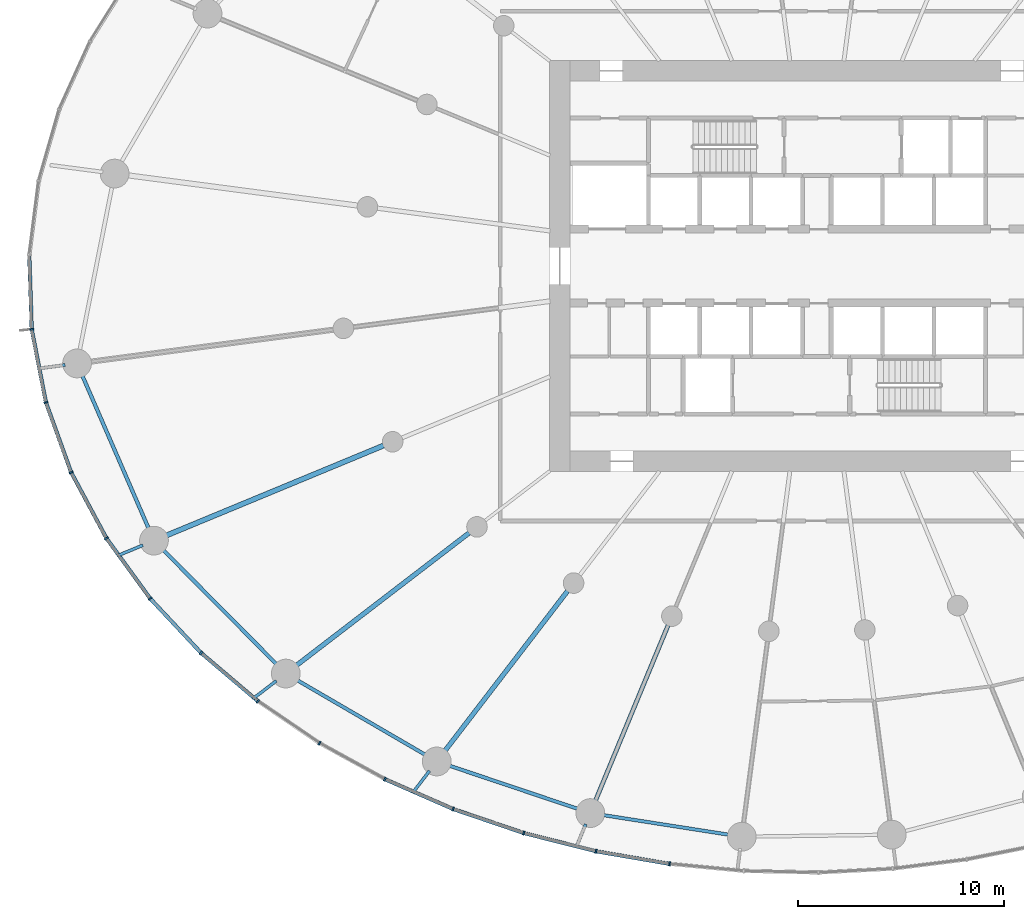
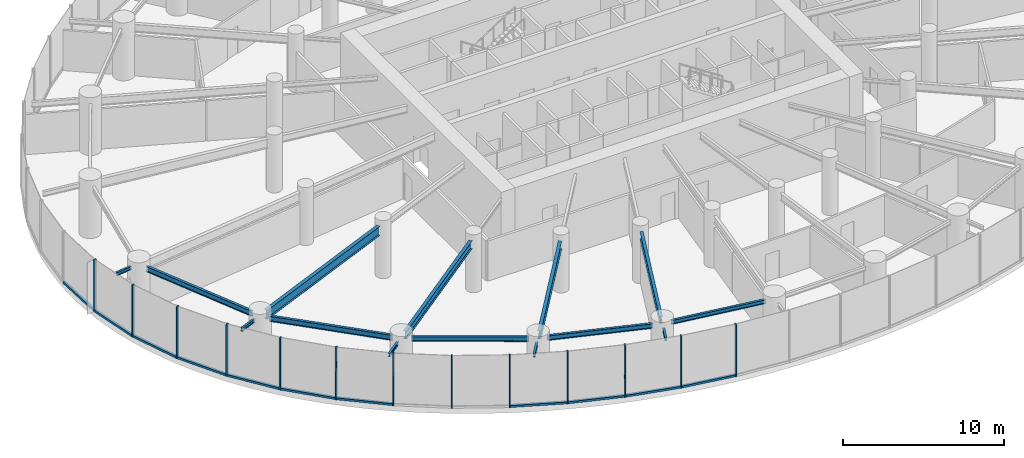
# One storey, part 2 of 19: 24 members, 14 beams, 4 elements without a shape of their own.
"""IFC4 building model written with IfcOpenShell, lengths in metres."""

from ifc_helpers import new_model, si_unit, direction, frame, origin, origin_2d, place, context, subcontext, project, spatial, rectangle, i_section, extrude, source, transform, mapped, material, layer, layer_set, material_profile, profile_set, type_object, element, aggregate, save


model = new_model("IFC4")

# Units and contexts
model_context = context("Model", 3, precision=1e-05, world=origin(), true_north=direction((0.0, 1.0)))
body_context = subcontext(model_context, "Body", "Model", "MODEL_VIEW")
ifc_project = project(units=[si_unit("LENGTHUNIT", "METRE"), si_unit("AREAUNIT", "SQUARE_METRE"), si_unit("VOLUMEUNIT", "CUBIC_METRE"), si_unit("PLANEANGLEUNIT", "RADIAN"), si_unit("MASSUNIT", "GRAM", prefix="KILO")], contexts=[model_context])

# Site, building, storey
site_placement = place(None, origin())
site = spatial("IfcSite", under=ifc_project, at=site_placement, CompositionType="ELEMENT")
building_placement = place(site_placement, origin())
building = spatial("IfcBuilding", under=site, at=building_placement, Name="Spindrift Exchange Tower", CompositionType="ELEMENT")
storey_placement = place(building_placement, frame((0.0, 0.0, 27.0)))
storey = spatial("IfcBuildingStorey", under=building, at=storey_placement, Name="L06", CompositionType="ELEMENT", Elevation=27.0)

# Beams
ifc_material_1 = material(Name="Steel Grade 300", Category="steel")
ifc_material_profile_1 = material_profile(ifc_material_1, i_section(OverallWidth=0.25, OverallDepth=0.699951171875, WebThickness=0.008056640625, FlangeThickness=0.011962890625, at=origin_2d()), Name="700WB115")
ifc_profile_set_1 = profile_set([ifc_material_profile_1], Name="Steel Grade 300")
beam_type_1 = type_object("IfcBeamType", Name="Floor Beam 700WB115 Steel Grade 300", PredefinedType="BEAM", material=ifc_profile_set_1)
shared_shape_1 = source(origin(), body_context, "Body", "SweptSolid", [
    extrude(i_section(OverallWidth=0.25, OverallDepth=0.699951171875, WebThickness=0.008056640625, FlangeThickness=0.011962890625, at=origin_2d()), origin(), (0.0, 0.0, 1.0), 11.505859375),
])
beam_1_placement = place(storey_placement, frame((30.917236328125, 39.26708984375, 3.60009765625), z_axis=(-0.923881578419, -0.38267849307, 0.0), x_axis=(0.38267849307, -0.923881578419, 0.0)))
element("IfcBeam", 1, at=beam_1_placement, inside=storey, type_object=beam_type_1, Name="L06 radial beam R14B", PredefinedType="BEAM", context=body_context, shape_type="MappedRepresentation", body=[
    mapped(shared_shape_1, transform((0.0, 0.0, 0.0), scale=1.0)),
])
ifc_material_profile_2 = material_profile(ifc_material_1, i_section(OverallWidth=0.22802734375, OverallDepth=0.60693359375, WebThickness=0.01123046875, FlangeThickness=0.017333984375, FilletRadius=0.013916015625, at=origin_2d()), Name="610UB113")
ifc_profile_set_2 = profile_set([ifc_material_profile_2], Name="Steel Grade 300")
beam_type_2 = type_object("IfcBeamType", Name="Floor Beam 610UB113 Steel Grade 300", PredefinedType="BEAM", material=ifc_profile_set_2)
shared_shape_2 = source(origin(), body_context, "Body", "SweptSolid", [
    extrude(i_section(OverallWidth=0.22802734375, OverallDepth=0.60693359375, WebThickness=0.01123046875, FlangeThickness=0.017333984375, FilletRadius=0.013916015625, at=origin_2d()), origin(), (0.0, 0.0, 1.0), 10.66357421875),
])
beam_2_placement = place(storey_placement, frame((35.08447265625, 35.020263671875, 3.646484375), z_axis=(-0.793357926757, -0.608755451764, 0.0), x_axis=(0.608755451764, -0.793357926757, 0.0)))
element("IfcBeam", 2, at=beam_2_placement, inside=storey, type_object=beam_type_2, Name="L06 radial beam R15B", PredefinedType="BEAM", context=body_context, shape_type="MappedRepresentation", body=[
    mapped(shared_shape_2, transform((0.0, 0.0, 0.0), scale=1.0)),
])
shared_shape_3 = source(origin(), body_context, "Body", "SweptSolid", [
    extrude(i_section(OverallWidth=0.22802734375, OverallDepth=0.60693359375, WebThickness=0.01123046875, FlangeThickness=0.017333984375, FilletRadius=0.013916015625, at=origin_2d()), origin(), (0.0, 0.0, 1.0), 9.87548828125),
])
beam_3_placement = place(storey_placement, frame((39.872802734375, 32.1953125, 3.646484375), z_axis=(-0.608772470836, -0.793344867477, 0.0), x_axis=(0.793344867477, -0.608772470836, 0.0)))
element("IfcBeam", 3, at=beam_3_placement, inside=storey, type_object=beam_type_2, Name="L06 radial beam R16B", PredefinedType="BEAM", context=body_context, shape_type="MappedRepresentation", body=[
    mapped(shared_shape_3, transform((0.0, 0.0, 0.0), scale=1.0)),
])
ifc_material_profile_3 = material_profile(ifc_material_1, i_section(OverallWidth=0.208984375, OverallDepth=0.532958984375, WebThickness=0.01025390625, FlangeThickness=0.015625, FilletRadius=0.013916015625, at=origin_2d()), Name="530UB92.4")
ifc_profile_set_3 = profile_set([ifc_material_profile_3], Name="Steel Grade 300")
beam_type_3 = type_object("IfcBeamType", Name="Floor Beam 530UB92.4 Steel Grade 300", PredefinedType="BEAM", material=ifc_profile_set_3)
shared_shape_4 = source(origin(), body_context, "Body", "SweptSolid", [
    extrude(i_section(OverallWidth=0.208984375, OverallDepth=0.532958984375, WebThickness=0.01025390625, FlangeThickness=0.015625, FilletRadius=0.013916015625, at=origin_2d()), origin(), (0.0, 0.0, 1.0), 9.309326171875),
])
beam_4_placement = place(storey_placement, frame((44.76171875, 30.525146484375, 3.68359375), z_axis=(-0.382685326691, -0.923878747853, 0.0), x_axis=(0.923878747853, -0.382685326691, 0.0)))
element("IfcBeam", 4, at=beam_4_placement, inside=storey, type_object=beam_type_3, Name="L06 radial beam R17B", PredefinedType="BEAM", context=body_context, shape_type="MappedRepresentation", body=[
    mapped(shared_shape_4, transform((0.0, 0.0, 0.0), scale=1.0)),
])
ifc_material_profile_4 = material_profile(ifc_material_1, i_section(OverallWidth=0.177978515625, OverallDepth=0.406005859375, WebThickness=0.0078125, FlangeThickness=0.0126953125, FilletRadius=0.013916015625, at=origin_2d()), Name="410UB59.7")
ifc_profile_set_4 = profile_set([ifc_material_profile_4], Name="Steel Grade 300")
beam_type_4 = type_object("IfcBeamType", Name="Edge Beam 410UB59.7 Steel Grade 300", PredefinedType="SPANDREL", material=ifc_profile_set_4)
shared_shape_5 = source(origin(), body_context, "Body", "SweptSolid", [
    extrude(i_section(OverallWidth=0.177978515625, OverallDepth=0.406005859375, WebThickness=0.0078125, FlangeThickness=0.0126953125, FilletRadius=0.013916015625, at=origin_2d()), origin(), (0.0, 0.0, 1.0), 8.23681640625),
])
beam_5_placement = place(storey_placement, frame((16.240478515625, 42.729736328125, 3.7470703125), z_axis=(0.398186298756, -0.91730456855, 0.0), x_axis=(0.91730456855, 0.398186298756, 0.0)))
element("IfcBeam", 5, at=beam_5_placement, inside=storey, type_object=beam_type_4, Name="L06 edge beam E13", PredefinedType="SPANDREL", context=body_context, shape_type="MappedRepresentation", body=[
    mapped(shared_shape_5, transform((0.0, 0.0, 0.0), scale=1.0)),
])
shared_shape_6 = source(origin(), body_context, "Body", "SweptSolid", [
    extrude(i_section(OverallWidth=0.177978515625, OverallDepth=0.406005859375, WebThickness=0.0078125, FlangeThickness=0.0126953125, FilletRadius=0.013916015625, at=origin_2d()), origin(), (0.0, 0.0, 1.0), 7.947509765625),
])
beam_6_placement = place(storey_placement, frame((20.159423828125, 34.230224609375, 3.7470703125), z_axis=(0.704197895271, -0.710003749494, 0.0), x_axis=(0.710003749494, 0.704197895271, 0.0)))
element("IfcBeam", 6, at=beam_6_placement, inside=storey, type_object=beam_type_4, Name="L06 edge beam E14", PredefinedType="SPANDREL", context=body_context, shape_type="MappedRepresentation", body=[
    mapped(shared_shape_6, transform((0.0, 0.0, 0.0), scale=1.0)),
])
ifc_material_profile_5 = material_profile(ifc_material_1, i_section(OverallWidth=0.172119140625, OverallDepth=0.35888671875, WebThickness=0.008056640625, FlangeThickness=0.012939453125, FilletRadius=0.013916015625, at=origin_2d()), Name="360UB56.7")
ifc_profile_set_5 = profile_set([ifc_material_profile_5], Name="Steel Grade 300")
beam_type_5 = type_object("IfcBeamType", Name="Edge Beam 360UB56.7 Steel Grade 300", PredefinedType="SPANDREL", material=ifc_profile_set_5)
shared_shape_7 = source(origin(), body_context, "Body", "SweptSolid", [
    extrude(i_section(OverallWidth=0.172119140625, OverallDepth=0.35888671875, WebThickness=0.008056640625, FlangeThickness=0.012939453125, FilletRadius=0.013916015625, at=origin_2d()), origin(), (0.0, 0.0, 1.0), 7.33740234375),
])
beam_7_placement = place(storey_placement, frame((26.66552734375, 27.8837890625, 3.7705078125), z_axis=(0.864211826308, -0.503128134047, 0.0), x_axis=(0.503128134047, 0.864211826308, 0.0)))
element("IfcBeam", 7, at=beam_7_placement, inside=storey, type_object=beam_type_5, Name="L06 edge beam E15", PredefinedType="SPANDREL", context=body_context, shape_type="MappedRepresentation", body=[
    mapped(shared_shape_7, transform((0.0, 0.0, 0.0), scale=1.0)),
])
shared_shape_8 = source(origin(), body_context, "Body", "SweptSolid", [
    extrude(i_section(OverallWidth=0.172119140625, OverallDepth=0.35888671875, WebThickness=0.008056640625, FlangeThickness=0.012939453125, FilletRadius=0.013916015625, at=origin_2d()), origin(), (0.0, 0.0, 1.0), 6.72021484375),
])
beam_8_placement = place(storey_placement, frame((34.0576171875, 23.71533203125, 3.7705078125), z_axis=(0.947851749681, -0.318711563372, 0.0), x_axis=(0.318711563372, 0.947851749681, 0.0)))
element("IfcBeam", 8, at=beam_8_placement, inside=storey, type_object=beam_type_5, Name="L06 edge beam E16", PredefinedType="SPANDREL", context=body_context, shape_type="MappedRepresentation", body=[
    mapped(shared_shape_8, transform((0.0, 0.0, 0.0), scale=1.0)),
])
ifc_material_profile_6 = material_profile(ifc_material_1, i_section(OverallWidth=0.1650390625, OverallDepth=0.303955078125, WebThickness=0.006103515625, FlangeThickness=0.01025390625, FilletRadius=0.011474609375, at=origin_2d()), Name="310UB40.4")
ifc_profile_set_6 = profile_set([ifc_material_profile_6], Name="Steel Grade 300")
beam_type_6 = type_object("IfcBeamType", Name="Edge Beam 310UB40.4 Steel Grade 300", PredefinedType="SPANDREL", material=ifc_profile_set_6)
shared_shape_9 = source(origin(), body_context, "Body", "SweptSolid", [
    extrude(i_section(OverallWidth=0.1650390625, OverallDepth=0.303955078125, WebThickness=0.006103515625, FlangeThickness=0.01025390625, FilletRadius=0.011474609375, at=origin_2d()), origin(), (0.0, 0.0, 1.0), 6.297119140625),
])
beam_9_placement = place(storey_placement, frame((41.55029296875, 21.29931640625, 3.798095703125), z_axis=(0.98802902915, -0.154268070436, 0.0), x_axis=(0.154268070436, 0.98802902915, 0.0)))
element("IfcBeam", 9, at=beam_9_placement, inside=storey, type_object=beam_type_6, Name="L06 edge beam E17", PredefinedType="SPANDREL", context=body_context, shape_type="MappedRepresentation", body=[
    mapped(shared_shape_9, transform((0.0, 0.0, 0.0), scale=1.0)),
])
ifc_material_profile_7 = material_profile(ifc_material_1, i_section(OverallWidth=0.14599609375, OverallDepth=0.251953125, WebThickness=0.006103515625, FlangeThickness=0.008544921875, FilletRadius=0.011962890625, at=origin_2d()), Name="250UB31.4")
ifc_profile_set_7 = profile_set([ifc_material_profile_7], Name="Steel Grade 300")
beam_type_7 = type_object("IfcBeamType", Name="Cantilever Beam 250UB31.4 Steel Grade 300", PredefinedType="BEAM", material=ifc_profile_set_7)
shared_shape_10 = source(origin(), body_context, "Body", "SweptSolid", [
    extrude(i_section(OverallWidth=0.14599609375, OverallDepth=0.251953125, WebThickness=0.006103515625, FlangeThickness=0.008544921875, FilletRadius=0.011962890625, at=origin_2d()), origin(), (0.0, 0.0, 1.0), 1.182373046875),
])
beam_10_placement = place(storey_placement, frame((15.4345703125, 43.18603515625, 3.823974609375), z_axis=(-0.991450078563, -0.130486557612, 0.0), x_axis=(0.130486557612, -0.991450078563, 0.0)))
element("IfcBeam", 10, at=beam_10_placement, inside=storey, type_object=beam_type_7, Name="L06 cantilever beam R13T", PredefinedType="BEAM", context=body_context, shape_type="MappedRepresentation", body=[
    mapped(shared_shape_10, transform((0.0, 0.0, 0.0), scale=1.0)),
])
shared_shape_11 = source(origin(), body_context, "Body", "SweptSolid", [
    extrude(i_section(OverallWidth=0.14599609375, OverallDepth=0.251953125, WebThickness=0.006103515625, FlangeThickness=0.008544921875, FilletRadius=0.011962890625, at=origin_2d()), origin(), (0.0, 0.0, 1.0), 1.340576171875),
])
beam_11_placement = place(storey_placement, frame((19.21533203125, 34.420166015625, 3.823974609375), z_axis=(-0.923834804529, -0.382791397422, 0.0), x_axis=(0.382791397422, -0.923834804529, 0.0)))
element("IfcBeam", 11, at=beam_11_placement, inside=storey, type_object=beam_type_7, Name="L06 cantilever beam R14T", PredefinedType="BEAM", context=body_context, shape_type="MappedRepresentation", body=[
    mapped(shared_shape_11, transform((0.0, 0.0, 0.0), scale=1.0)),
])
shared_shape_12 = source(origin(), body_context, "Body", "SweptSolid", [
    extrude(i_section(OverallWidth=0.14599609375, OverallDepth=0.251953125, WebThickness=0.006103515625, FlangeThickness=0.008544921875, FilletRadius=0.011962890625, at=origin_2d()), origin(), (0.0, 0.0, 1.0), 1.450927734375),
])
beam_12_placement = place(storey_placement, frame((25.704345703125, 27.822509765625, 3.823974609375), z_axis=(-0.793349012845, -0.608767068605, 0.0), x_axis=(0.608767068605, -0.793349012845, 0.0)))
element("IfcBeam", 12, at=beam_12_placement, inside=storey, type_object=beam_type_7, Name="L06 cantilever beam R15T", PredefinedType="BEAM", context=body_context, shape_type="MappedRepresentation", body=[
    mapped(shared_shape_12, transform((0.0, 0.0, 0.0), scale=1.0)),
])
shared_shape_13 = source(origin(), body_context, "Body", "SweptSolid", [
    extrude(i_section(OverallWidth=0.14599609375, OverallDepth=0.251953125, WebThickness=0.006103515625, FlangeThickness=0.008544921875, FilletRadius=0.011962890625, at=origin_2d()), origin(), (0.0, 0.0, 1.0), 1.34521484375),
])
beam_13_placement = place(storey_placement, frame((33.154541015625, 23.440185546875, 3.823974609375), z_axis=(-0.608762998157, -0.793352136239, 0.0), x_axis=(0.793352136239, -0.608762998157, 0.0)))
element("IfcBeam", 13, at=beam_13_placement, inside=storey, type_object=beam_type_7, Name="L06 cantilever beam R16T", PredefinedType="BEAM", context=body_context, shape_type="MappedRepresentation", body=[
    mapped(shared_shape_13, transform((0.0, 0.0, 0.0), scale=1.0)),
])
shared_shape_14 = source(origin(), body_context, "Body", "SweptSolid", [
    extrude(i_section(OverallWidth=0.14599609375, OverallDepth=0.251953125, WebThickness=0.006103515625, FlangeThickness=0.008544921875, FilletRadius=0.011962890625, at=origin_2d()), origin(), (0.0, 0.0, 1.0), 1.142578125),
])
beam_14_placement = place(storey_placement, frame((40.755126953125, 20.852783203125, 3.823974609375), z_axis=(-0.382490193419, -0.923959551029, 0.0), x_axis=(0.923959551029, -0.382490193419, 0.0)))
element("IfcBeam", 14, at=beam_14_placement, inside=storey, type_object=beam_type_7, Name="L06 cantilever beam R17T", PredefinedType="BEAM", context=body_context, shape_type="MappedRepresentation", body=[
    mapped(shared_shape_14, transform((0.0, 0.0, 0.0), scale=1.0)),
])

# Curtain wall, members
ifc_material_2 = material(Name="Fritted laminated glass with bronze frame", Category="glass")
ifc_layer = layer(ifc_material_2, 0.199951171875)
ifc_layer_set = layer_set([ifc_layer], Name="ZONE 1 BRONZE FRITTED WALL")
curtain_wall_type = type_object("IfcCurtainWallType", Name="ZONE 1 BRONZE FRITTED WALL", PredefinedType="NOTDEFINED", material=ifc_layer_set)
curtain_wall_1_placement = place(storey_placement, origin())
curtain_wall_1 = element("IfcCurtainWall", 15, at=curtain_wall_1_placement, inside=storey, type_object=curtain_wall_type, Name="L06 Zone 1 Bronze Fritted Wall run 6", PredefinedType="NOTDEFINED")
ifc_material_3 = material(Name="Bronze anodised aluminium", Category="aluminium")
ifc_material_profile_8 = material_profile(ifc_material_3, rectangle(XDim=0.080078125, YDim=0.199951171875, at=origin_2d()), Name="ZONE 1 BRONZE FRITTED WALL MULLION 80X200")
ifc_profile_set_8 = profile_set([ifc_material_profile_8], Name="Bronze anodised aluminium")
member_type_1 = type_object("IfcMemberType", Name="ZONE 1 BRONZE FRITTED WALL MULLION 80X200", PredefinedType="MULLION", material=ifc_profile_set_8)
shared_shape_15 = source(origin(), body_context, "Body", "SweptSolid", [
    extrude(rectangle(XDim=0.080078125, YDim=0.199951171875, at=origin_2d()), origin(), (0.0, 0.0, 1.0), 3.949951171875),
])
member_1_placement = place(storey_placement, frame((13.80322265625, 44.923095703125, 0.0), z_axis=(0.0, 0.0, 1.0), x_axis=(0.112274494277, -0.993677230259, 0.0)))
member_1 = element("IfcMember", 16, at=member_1_placement, type_object=member_type_1, Name="L06 mullion CW-1.31", PredefinedType="MULLION", context=body_context, shape_type="MappedRepresentation", body=[
    mapped(shared_shape_15, transform((0.0, 0.0, 0.0), scale=1.0)),
])
member_2_placement = place(storey_placement, frame((14.49462890625, 41.365234375, 0.0), z_axis=(0.0, 0.0, 1.0), x_axis=(0.26580669466, -0.964026348745, 0.0)))
member_2 = element("IfcMember", 17, at=member_2_placement, type_object=member_type_1, Name="L06 mullion CW-1.32", PredefinedType="MULLION", context=body_context, shape_type="MappedRepresentation", body=[
    mapped(shared_shape_15, transform((0.0, 0.0, 0.0), scale=1.0)),
])
member_3_placement = place(storey_placement, frame((15.724609375, 37.955322265625, 0.0), z_axis=(0.0, 0.0, 1.0), x_axis=(0.406941799037, -0.913454088718, 0.0)))
member_3 = element("IfcMember", 18, at=member_3_placement, type_object=member_type_1, Name="L06 mullion CW-1.33", PredefinedType="MULLION", context=body_context, shape_type="MappedRepresentation", body=[
    mapped(shared_shape_15, transform((0.0, 0.0, 0.0), scale=1.0)),
])
member_4_placement = place(storey_placement, frame((17.437255859375, 34.76025390625, 0.0), z_axis=(0.0, 0.0, 1.0), x_axis=(0.53108157016, -0.847320698341, 0.0)))
member_4 = element("IfcMember", 19, at=member_4_placement, type_object=member_type_1, Name="L06 mullion CW-1.34", PredefinedType="MULLION", context=body_context, shape_type="MappedRepresentation", body=[
    mapped(shared_shape_15, transform((0.0, 0.0, 0.0), scale=1.0)),
])
member_5_placement = place(storey_placement, frame((19.56640625, 31.82568359375, 0.0), z_axis=(0.0, 0.0, 1.0), x_axis=(0.636556065758, -0.771230429344, 0.0)))
member_5 = element("IfcMember", 20, at=member_5_placement, type_object=member_type_1, Name="L06 mullion CW-1.35", PredefinedType="MULLION", context=body_context, shape_type="MappedRepresentation", body=[
    mapped(shared_shape_15, transform((0.0, 0.0, 0.0), scale=1.0)),
])
member_6_placement = place(storey_placement, frame((22.04443359375, 29.178466796875, 0.0), z_axis=(0.0, 0.0, 1.0), x_axis=(0.723928724108, -0.689874772992, 0.0)))
member_6 = element("IfcMember", 21, at=member_6_placement, type_object=member_type_1, Name="L06 mullion CW-1.36", PredefinedType="MULLION", context=body_context, shape_type="MappedRepresentation", body=[
    mapped(shared_shape_15, transform((0.0, 0.0, 0.0), scale=1.0)),
])

curtain_wall_2_placement = place(storey_placement, origin())
curtain_wall_2 = element("IfcCurtainWall", 22, at=curtain_wall_2_placement, inside=storey, type_object=curtain_wall_type, Name="L06 Zone 1 Bronze Fritted Wall run 7", PredefinedType="NOTDEFINED")
member_7_placement = place(storey_placement, frame((24.80810546875, 26.83056640625, 0.0), z_axis=(0.0, 0.0, 1.0), x_axis=(0.795032936674, -0.606566261511, 0.0)))
member_7 = element("IfcMember", 23, at=member_7_placement, type_object=member_type_1, Name="L06 mullion CW-1.37", PredefinedType="MULLION", context=body_context, shape_type="MappedRepresentation", body=[
    mapped(shared_shape_15, transform((0.0, 0.0, 0.0), scale=1.0)),
])
member_8_placement = place(storey_placement, frame((27.802978515625, 24.784912109375, 0.0), z_axis=(0.0, 0.0, 1.0), x_axis=(0.852073463745, -0.52342221235, 0.0)))
member_8 = element("IfcMember", 24, at=member_8_placement, type_object=member_type_1, Name="L06 mullion CW-1.38", PredefinedType="MULLION", context=body_context, shape_type="MappedRepresentation", body=[
    mapped(shared_shape_15, transform((0.0, 0.0, 0.0), scale=1.0)),
])
member_9_placement = place(storey_placement, frame((30.9814453125, 23.038330078125, 0.0), z_axis=(0.0, 0.0, 1.0), x_axis=(0.897215961855, -0.441592026414, 0.0)))
member_9 = element("IfcMember", 25, at=member_9_placement, type_object=member_type_1, Name="L06 mullion CW-1.39", PredefinedType="MULLION", context=body_context, shape_type="MappedRepresentation", body=[
    mapped(shared_shape_15, transform((0.0, 0.0, 0.0), scale=1.0)),
])
member_10_placement = place(storey_placement, frame((34.3046875, 21.5849609375, 0.0), z_axis=(0.0, 0.0, 1.0), x_axis=(0.932349377236, -0.361558624247, 0.0)))
member_10 = element("IfcMember", 26, at=member_10_placement, type_object=member_type_1, Name="L06 mullion CW-1.40", PredefinedType="MULLION", context=body_context, shape_type="MappedRepresentation", body=[
    mapped(shared_shape_15, transform((0.0, 0.0, 0.0), scale=1.0)),
])
member_11_placement = place(storey_placement, frame((37.739013671875, 20.41796875, 0.0), z_axis=(0.0, 0.0, 1.0), x_axis=(0.958992414173, -0.283431737034, 0.0)))
member_11 = element("IfcMember", 27, at=member_11_placement, type_object=member_type_1, Name="L06 mullion CW-1.41", PredefinedType="MULLION", context=body_context, shape_type="MappedRepresentation", body=[
    mapped(shared_shape_15, transform((0.0, 0.0, 0.0), scale=1.0)),
])
member_12_placement = place(storey_placement, frame((41.256103515625, 19.530517578125, 0.0), z_axis=(0.0, 0.0, 1.0), x_axis=(0.978331452808, -0.207044846461, 0.0)))
member_12 = element("IfcMember", 28, at=member_12_placement, type_object=member_type_1, Name="L06 mullion CW-1.42", PredefinedType="MULLION", context=body_context, shape_type="MappedRepresentation", body=[
    mapped(shared_shape_15, transform((0.0, 0.0, 0.0), scale=1.0)),
])

# Curtain wall, member
curtain_wall_3_placement = place(storey_placement, origin())
curtain_wall_3 = element("IfcCurtainWall", 29, at=curtain_wall_3_placement, inside=storey, type_object=curtain_wall_type, Name="L06 Zone 1 Bronze Fritted Wall run 8", PredefinedType="NOTDEFINED")
member_13_placement = place(storey_placement, frame((44.8310546875, 18.9169921875, 0.0), z_axis=(0.0, 0.0, 1.0), x_axis=(0.991234150708, -0.132116836434, 0.0)))
member_13 = element("IfcMember", 30, at=member_13_placement, type_object=member_type_1, Name="L06 mullion CW-1.43", PredefinedType="MULLION", context=body_context, shape_type="MappedRepresentation", body=[
    mapped(shared_shape_15, transform((0.0, 0.0, 0.0), scale=1.0)),
])
aggregate(curtain_wall_3, [member_13])

curtain_wall_4_placement = place(storey_placement, origin())
curtain_wall_4 = element("IfcCurtainWall", 31, at=curtain_wall_4_placement, inside=storey, type_object=curtain_wall_type, Name="L06 Zone 1 Bronze Fritted Wall run 5", PredefinedType="NOTDEFINED")
ifc_material_profile_9 = material_profile(ifc_material_3, rectangle(XDim=0.179931640625, YDim=0.14990234375, at=origin_2d()), Name="ZONE 1 BRONZE FRITTED WALL TRANSOM 180X150")
ifc_profile_set_9 = profile_set([ifc_material_profile_9], Name="Bronze anodised aluminium")
member_type_2 = type_object("IfcMemberType", Name="ZONE 1 BRONZE FRITTED WALL TRANSOM 180X150", PredefinedType="USERDEFINED", material=ifc_profile_set_9)
shared_shape_16 = source(origin(), body_context, "Body", "SweptSolid", [
    extrude(rectangle(XDim=0.179931640625, YDim=0.14990234375, at=origin_2d()), origin(), (0.0, 0.0, 1.0), 3.54443359375),
])
member_14_placement = place(storey_placement, frame((13.684814453125, 48.505615234375, 0.074951171875), z_axis=(0.03306254835, -0.999453284499, 0.0), x_axis=(0.999453284499, 0.03306254835, 0.0)))
member_14 = element("IfcMember", 32, at=member_14_placement, type_object=member_type_2, Name="L06 transom CW-1.30", ObjectType="TRANSOM", PredefinedType="USERDEFINED", context=body_context, shape_type="MappedRepresentation", body=[
    mapped(shared_shape_16, transform((0.0, 0.0, 0.0), scale=1.0)),
])
aggregate(curtain_wall_4, [member_14])

# Member
member_15_placement = place(storey_placement, frame((13.81103515625, 44.8837890625, 0.074951171875), z_axis=(0.190735067966, -0.981641550592, 0.0), x_axis=(0.981641550592, 0.190735067966, 0.0)))
member_15 = element("IfcMember", 33, at=member_15_placement, type_object=member_type_2, Name="L06 transom CW-1.31", ObjectType="TRANSOM", PredefinedType="USERDEFINED", context=body_context, shape_type="MappedRepresentation", body=[
    mapped(shared_shape_16, transform((0.0, 0.0, 0.0), scale=1.0)),
])

shared_shape_17 = source(origin(), body_context, "Body", "SweptSolid", [
    extrude(rectangle(XDim=0.179931640625, YDim=0.14990234375, at=origin_2d()), origin(), (0.0, 0.0, 1.0), 3.544921875),
])
member_16_placement = place(storey_placement, frame((14.50830078125, 41.32763671875, 0.074951171875), z_axis=(0.339253497433, -0.940694990143, 0.0), x_axis=(0.940694990143, 0.339253497433, 0.0)))
member_16 = element("IfcMember", 34, at=member_16_placement, type_object=member_type_2, Name="L06 transom CW-1.32", ObjectType="TRANSOM", PredefinedType="USERDEFINED", context=body_context, shape_type="MappedRepresentation", body=[
    mapped(shared_shape_17, transform((0.0, 0.0, 0.0), scale=1.0)),
])

shared_shape_18 = source(origin(), body_context, "Body", "SweptSolid", [
    extrude(rectangle(XDim=0.179931640625, YDim=0.14990234375, at=origin_2d()), origin(), (0.0, 0.0, 1.0), 3.545654296875),
])
member_17_placement = place(storey_placement, frame((17.460693359375, 34.72802734375, 0.074951171875), z_axis=(0.58726653421, -0.809393611166, 0.0), x_axis=(0.809393611166, 0.58726653421, 0.0)))
member_17 = element("IfcMember", 35, at=member_17_placement, type_object=member_type_2, Name="L06 transom CW-1.34", ObjectType="TRANSOM", PredefinedType="USERDEFINED", context=body_context, shape_type="MappedRepresentation", body=[
    mapped(shared_shape_18, transform((0.0, 0.0, 0.0), scale=1.0)),
])

shared_shape_19 = source(origin(), body_context, "Body", "SweptSolid", [
    extrude(rectangle(XDim=0.179931640625, YDim=0.14990234375, at=origin_2d()), origin(), (0.0, 0.0, 1.0), 3.546142578125),
])
member_18_placement = place(storey_placement, frame((19.59375, 31.79638671875, 0.074951171875), z_axis=(0.683382131229, -0.730060862337, 0.0), x_axis=(0.730060862337, 0.683382131229, 0.0)))
member_18 = element("IfcMember", 36, at=member_18_placement, type_object=member_type_2, Name="L06 transom CW-1.35", ObjectType="TRANSOM", PredefinedType="USERDEFINED", context=body_context, shape_type="MappedRepresentation", body=[
    mapped(shared_shape_19, transform((0.0, 0.0, 0.0), scale=1.0)),
])

shared_shape_20 = source(origin(), body_context, "Body", "SweptSolid", [
    extrude(rectangle(XDim=0.179931640625, YDim=0.14990234375, at=origin_2d()), origin(), (0.0, 0.0, 1.0), 3.54736328125),
])
member_19_placement = place(storey_placement, frame((34.342529296875, 21.572021484375, 0.074951171875), z_axis=(0.946822655468, -0.321755899856, 0.0), x_axis=(0.321755899856, 0.946822655468, 0.0)))
member_19 = element("IfcMember", 37, at=member_19_placement, type_object=member_type_2, Name="L06 transom CW-1.40", ObjectType="TRANSOM", PredefinedType="USERDEFINED", context=body_context, shape_type="MappedRepresentation", body=[
    mapped(shared_shape_20, transform((0.0, 0.0, 0.0), scale=1.0)),
])

member_20_placement = place(storey_placement, frame((37.77783203125, 20.408203125, 0.074951171875), z_axis=(0.969605739706, -0.244672657911, 0.0), x_axis=(0.244672657911, 0.969605739706, 0.0)))
member_20 = element("IfcMember", 38, at=member_20_placement, type_object=member_type_2, Name="L06 transom CW-1.41", ObjectType="TRANSOM", PredefinedType="USERDEFINED", context=body_context, shape_type="MappedRepresentation", body=[
    mapped(shared_shape_20, transform((0.0, 0.0, 0.0), scale=1.0)),
])

member_21_placement = place(storey_placement, frame((41.29541015625, 19.523681640625, 0.074951171875), z_axis=(0.985599650995, -0.169095617799, 0.0), x_axis=(0.169095617799, 0.985599650995, 0.0)))
member_21 = element("IfcMember", 39, at=member_21_placement, type_object=member_type_2, Name="L06 transom CW-1.42", ObjectType="TRANSOM", PredefinedType="USERDEFINED", context=body_context, shape_type="MappedRepresentation", body=[
    mapped(shared_shape_20, transform((0.0, 0.0, 0.0), scale=1.0)),
])

shared_shape_21 = source(origin(), body_context, "Body", "SweptSolid", [
    extrude(rectangle(XDim=0.179931640625, YDim=0.14990234375, at=origin_2d()), origin(), (0.0, 0.0, 1.0), 3.547119140625),
])
member_22_placement = place(storey_placement, frame((31.01806640625, 23.0224609375, 0.074951171875), z_axis=(0.916207875025, -0.4007032939, 0.0), x_axis=(0.4007032939, 0.916207875025, 0.0)))
member_22 = element("IfcMember", 40, at=member_22_placement, type_object=member_type_2, Name="L06 transom CW-1.39", ObjectType="TRANSOM", PredefinedType="USERDEFINED", context=body_context, shape_type="MappedRepresentation", body=[
    mapped(shared_shape_21, transform((0.0, 0.0, 0.0), scale=1.0)),
])

aggregate(curtain_wall_2, [member_7, member_8, member_9, member_22, member_10, member_19, member_11, member_20, member_12, member_21])

shared_shape_22 = source(origin(), body_context, "Body", "SweptSolid", [
    extrude(rectangle(XDim=0.179931640625, YDim=0.14990234375, at=origin_2d()), origin(), (0.0, 0.0, 1.0), 3.545166015625),
])
member_23_placement = place(storey_placement, frame((15.743408203125, 37.920166015625, 0.074951171875), z_axis=(0.472431619261, -0.881367327011, 0.0), x_axis=(0.881367327011, 0.472431619261, 0.0)))
member_23 = element("IfcMember", 41, at=member_23_placement, type_object=member_type_2, Name="L06 transom CW-1.33", ObjectType="TRANSOM", PredefinedType="USERDEFINED", context=body_context, shape_type="MappedRepresentation", body=[
    mapped(shared_shape_22, transform((0.0, 0.0, 0.0), scale=1.0)),
])

shared_shape_23 = source(origin(), body_context, "Body", "SweptSolid", [
    extrude(rectangle(XDim=0.179931640625, YDim=0.14990234375, at=origin_2d()), origin(), (0.0, 0.0, 1.0), 3.546630859375),
])
member_24_placement = place(storey_placement, frame((22.074951171875, 29.152587890625, 0.074951171875), z_axis=(0.76212102778, -0.647434582808, 0.0), x_axis=(0.647434582808, 0.76212102778, 0.0)))
member_24 = element("IfcMember", 42, at=member_24_placement, type_object=member_type_2, Name="L06 transom CW-1.36", ObjectType="TRANSOM", PredefinedType="USERDEFINED", context=body_context, shape_type="MappedRepresentation", body=[
    mapped(shared_shape_23, transform((0.0, 0.0, 0.0), scale=1.0)),
])

aggregate(curtain_wall_1, [member_1, member_15, member_2, member_16, member_3, member_23, member_4, member_17, member_5, member_18, member_6, member_24])

save(model, "model.ifc")
